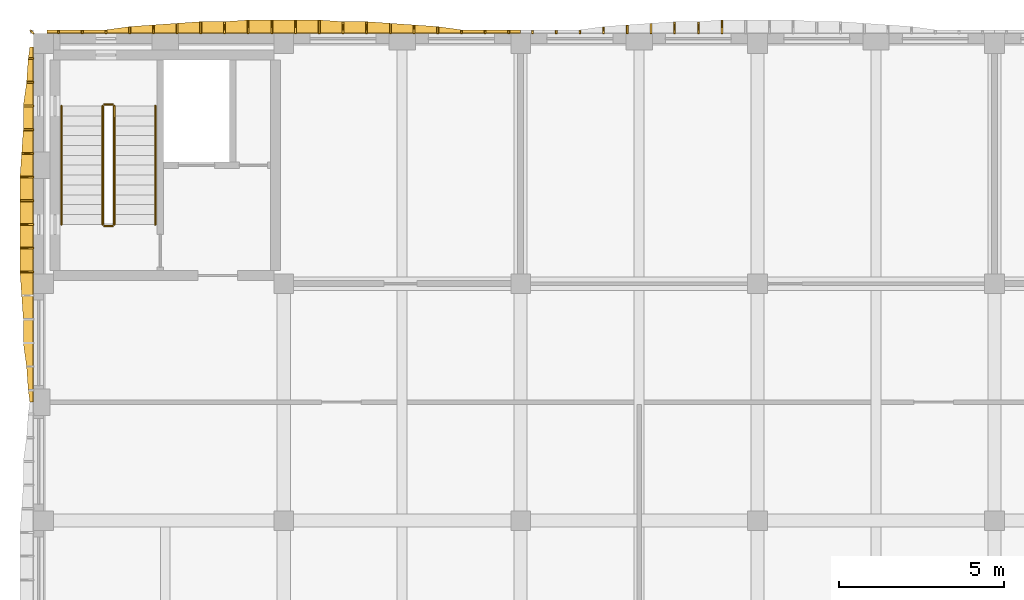
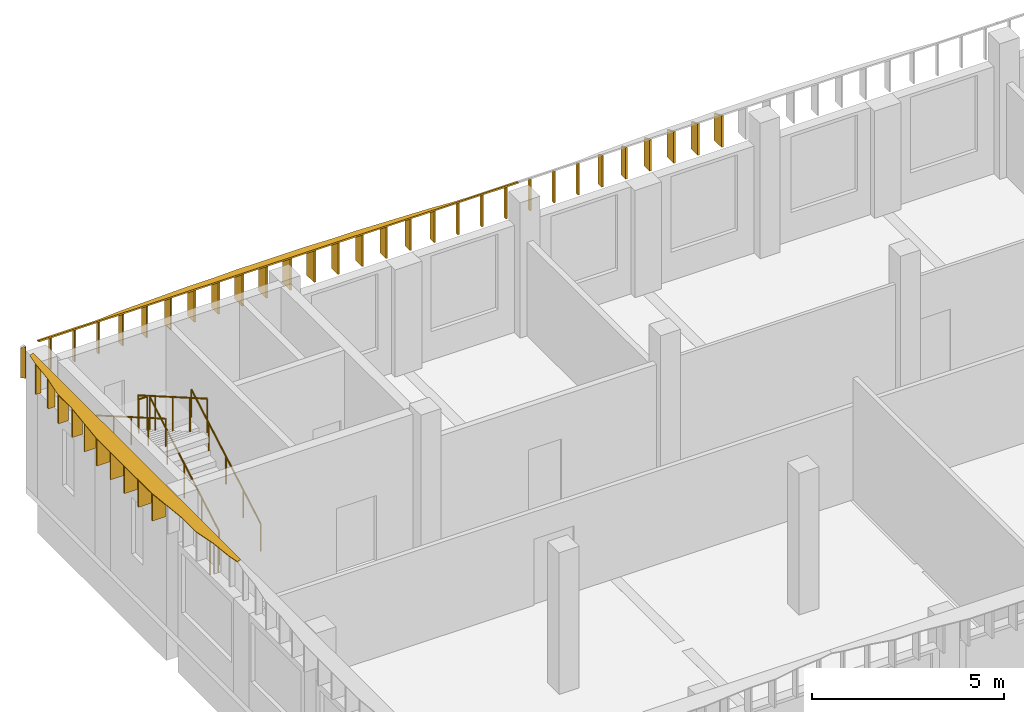
# One storey, part 26 of 38: 42 shading devices, 6 railings.
"""IFC4 building model written with IfcOpenShell, lengths in metres."""

from ifc_helpers import new_model, si_unit, direction, frame, origin, origin_2d, place, context, subcontext, project, spatial, polyline, circle, outline, extrude, material, layer, layer_set, type_object, element, save


model = new_model("IFC4")

# Units and contexts
model_context = context("Model", 3, precision=1e-05, world=origin(), true_north=direction((0.0, 1.0)))
body_context = subcontext(model_context, "Body", "Model", "MODEL_VIEW")
ifc_project = project(units=[si_unit("LENGTHUNIT", "METRE"), si_unit("AREAUNIT", "SQUARE_METRE"), si_unit("VOLUMEUNIT", "CUBIC_METRE"), si_unit("PLANEANGLEUNIT", "RADIAN"), si_unit("MASSUNIT", "GRAM", prefix="KILO")], contexts=[model_context])

# Site, building, storey
site_placement = place(None, origin())
site = spatial("IfcSite", under=ifc_project, at=site_placement, CompositionType="ELEMENT")
building_placement = place(site_placement, origin())
building = spatial("IfcBuilding", under=site, at=building_placement, Name="Ussher Court Research Institute", CompositionType="ELEMENT")
storey_placement = place(building_placement, frame((0.0, 0.0, 23.39990234375)))
storey = spatial("IfcBuildingStorey", under=building, at=storey_placement, Name="L05", CompositionType="ELEMENT", Elevation=23.39990234375)

# Shading devices
ifc_material_1 = material(Name="Bronze anodised aluminium", Category="aluminium")
ifc_layer_1 = layer(ifc_material_1, 0.050048828125)
ifc_layer_set_1 = layer_set([ifc_layer_1], Name="Bronze anodised aluminium")
shading_device_type_1 = type_object("IfcShadingDeviceType", Name="Brim blade 100 mm deep 1000 mm high canted 20 deg dry", PredefinedType="USERDEFINED", material=ifc_layer_set_1)
for number, where, z_axis, x_axis, name in (
    (1, (3.360107421875, 90.800048828125, 3.4501953125), (0.0, 0.0, 1.0), (0.0, 1.0, 0.0), "Brim blade BS17 L05"),
    (2, (4.080078125, 90.800048828125, 3.4501953125), (0.0, 0.0, 1.0), (0.0, 1.0, 0.0), "Brim blade BS17 L05"),
    (3, (4.800048828125, 90.800048828125, 3.4501953125), (0.0, 0.0, 1.0), (0.0, 1.0, 0.0), "Brim blade BS17 L05"),
    (4, (15.60009765625, 90.800048828125, 3.4501953125), (0.0, 0.0, 1.0), (0.0, 1.0, 0.0), "Brim blade BS17 L05"),
    (5, (16.320068359375, 90.800048828125, 3.4501953125), (0.0, 0.0, 1.0), (0.0, 1.0, 0.0), "Brim blade BS17 L05"),
    (6, (17.0400390625, 90.800048828125, 3.4501953125), (0.0, 0.0, 1.0), (0.0, 1.0, 0.0), "Brim blade BS17 L05"),
    (7, (17.760009765625, 90.800048828125, 3.4501953125), (0.0, 0.0, 1.0), (0.0, 1.0, 0.0), "Brim blade BS17 L05"),
    (8, (18.47998046875, 90.800048828125, 3.4501953125), (0.0, 0.0, 1.0), (0.0, 1.0, 0.0), "Brim blade BS17 L05"),
    (9, (19.199951171875, 90.800048828125, 3.4501953125), (0.0, 0.0, 1.0), (0.0, 1.0, 0.0), "Brim blade BS17 L05"),
):
    element("IfcShadingDevice", number, at=place(storey_placement, frame(where, z_axis=z_axis, x_axis=x_axis)), inside=storey, type_object=shading_device_type_1, Name=name, ObjectType="BLADE", PredefinedType="USERDEFINED", context=body_context, shape_type="SweptSolid", body=[
        extrude(outline(polyline([(0.0, 0.0), (0.099853515625, 0.0), (0.10009765625, 0.963623046875), (0.0, 1.0), (0.0, 0.0)])), frame((0.0, 0.02490234375, 0.0), z_axis=(0.0, -1.0, 0.0), x_axis=(1.0, 0.0, 0.0)), (0.0, 0.0, 1.0), 0.050048828125),
    ])
ifc_material_2 = material(Name="Bronze anodised aluminium", Category="aluminium")
ifc_layer_2 = layer(ifc_material_2, 0.050048828125)
ifc_layer_set_2 = layer_set([ifc_layer_2], Name="Bronze anodised aluminium")
shading_device_type_2 = type_object("IfcShadingDeviceType", Name="Brim blade 150 mm deep 1000 mm high canted 20 deg dry", PredefinedType="USERDEFINED", material=ifc_layer_set_2)
shading_device_1_placement = place(storey_placement, frame((2.60009765625, 90.0400390625, 3.4501953125), z_axis=(0.0, 0.0, 1.0), x_axis=(-1.0, 0.0, 0.0)))
element("IfcShadingDevice", 10, at=shading_device_1_placement, inside=storey, type_object=shading_device_type_2, Name="Brim blade BS16 L05", ObjectType="BLADE", PredefinedType="USERDEFINED", context=body_context, shape_type="SweptSolid", body=[
    extrude(outline(polyline([(0.0, 0.0), (0.150146484375, 0.0), (0.14990234375, 0.9453125), (0.0, 1.0), (0.0, 0.0)])), frame((0.0, 0.02490234375, 0.0), z_axis=(0.0, -1.0, 0.0), x_axis=(1.0, 0.0, 0.0)), (0.0, 0.0, 1.0), 0.050048828125),
])
ifc_material_3 = material(Name="Bronze anodised aluminium", Category="aluminium")
ifc_layer_3 = layer(ifc_material_3, 0.050048828125)
ifc_layer_set_3 = layer_set([ifc_layer_3], Name="Bronze anodised aluminium")
shading_device_type_3 = type_object("IfcShadingDeviceType", Name="Brim blade 200 mm deep 1000 mm high canted 20 deg dry", PredefinedType="USERDEFINED", material=ifc_layer_set_3)
for number, where, z_axis, x_axis, name in (
    (11, (5.52001953125, 90.800048828125, 3.4501953125), (0.0, 0.0, 1.0), (0.0, 1.0, 0.0), "Brim blade BS15 L05"),
    (12, (14.8798828125, 90.800048828125, 3.4501953125), (0.0, 0.0, 1.0), (0.0, 1.0, 0.0), "Brim blade BS15 L05"),
    (13, (19.919921875, 90.800048828125, 3.4501953125), (0.0, 0.0, 1.0), (0.0, 1.0, 0.0), "Brim blade BS15 L05"),
):
    element("IfcShadingDevice", number, at=place(storey_placement, frame(where, z_axis=z_axis, x_axis=x_axis)), inside=storey, type_object=shading_device_type_3, Name=name, ObjectType="BLADE", PredefinedType="USERDEFINED", context=body_context, shape_type="SweptSolid", body=[
        extrude(outline(polyline([(0.0, 0.0), (0.199951171875, 0.0), (0.199951171875, 0.927001953125), (0.0, 1.0), (0.0, 0.0)])), frame((0.0, 0.02490234375, 0.0), z_axis=(0.0, -1.0, 0.0), x_axis=(1.0, 0.0, 0.0)), (0.0, 0.0, 1.0), 0.050048828125),
    ])
shading_device_2_placement = place(storey_placement, frame((2.60009765625, 89.320068359375, 3.4501953125), z_axis=(0.0, 0.0, 1.0), x_axis=(-1.0, 0.0, 0.0)))
element("IfcShadingDevice", 14, at=shading_device_2_placement, inside=storey, type_object=shading_device_type_3, Name="Brim blade BS15 L05", ObjectType="BLADE", PredefinedType="USERDEFINED", context=body_context, shape_type="SweptSolid", body=[
    extrude(outline(polyline([(0.0, 0.0), (0.2001953125, 0.0), (0.199951171875, 0.927001953125), (0.0, 1.0), (0.0, 0.0)])), frame((0.0, 0.02490234375, 0.0), z_axis=(0.0, -1.0, 0.0), x_axis=(1.0, 0.0, 0.0)), (0.0, 0.0, 1.0), 0.050048828125),
])
ifc_material_4 = material(Name="Bronze anodised aluminium", Category="aluminium")
ifc_layer_4 = layer(ifc_material_4, 0.050048828125)
ifc_layer_set_4 = layer_set([ifc_layer_4], Name="Bronze anodised aluminium")
shading_device_type_4 = type_object("IfcShadingDeviceType", Name="Brim blade 250 mm deep 1000 mm high canted 20 deg dry", PredefinedType="USERDEFINED", material=ifc_layer_set_4)
for number, where, z_axis, x_axis, name in (
    (15, (6.239990234375, 90.800048828125, 3.4501953125), (0.0, 0.0, 1.0), (0.0, 1.0, 0.0), "Brim blade BS14 L05"),
    (16, (14.159912109375, 90.800048828125, 3.4501953125), (0.0, 0.0, 1.0), (0.0, 1.0, 0.0), "Brim blade BS14 L05"),
    (17, (20.639892578125, 90.800048828125, 3.4501953125), (0.0, 0.0, 1.0), (0.0, 1.0, 0.0), "Brim blade BS14 L05"),
):
    element("IfcShadingDevice", number, at=place(storey_placement, frame(where, z_axis=z_axis, x_axis=x_axis)), inside=storey, type_object=shading_device_type_4, Name=name, ObjectType="BLADE", PredefinedType="USERDEFINED", context=body_context, shape_type="SweptSolid", body=[
        extrude(outline(polyline([(0.0, 0.0), (0.25, 0.0), (0.25, 0.908935546875), (0.0, 1.0), (0.0, 0.0)])), frame((0.0, 0.02490234375, 0.0), z_axis=(0.0, -1.0, 0.0), x_axis=(1.0, 0.0, 0.0)), (0.0, 0.0, 1.0), 0.050048828125),
    ])
ifc_material_5 = material(Name="Bronze anodised aluminium", Category="aluminium")
ifc_layer_5 = layer(ifc_material_5, 0.050048828125)
ifc_layer_set_5 = layer_set([ifc_layer_5], Name="Bronze anodised aluminium")
shading_device_type_5 = type_object("IfcShadingDeviceType", Name="Brim blade 300 mm deep 1000 mm high canted 20 deg dry", PredefinedType="USERDEFINED", material=ifc_layer_set_5)
for number, where, z_axis, x_axis, name in (
    (18, (6.9599609375, 90.800048828125, 3.4501953125), (0.0, 0.0, 1.0), (0.0, 1.0, 0.0), "Brim blade BS13 L05"),
    (19, (13.43994140625, 90.800048828125, 3.4501953125), (0.0, 0.0, 1.0), (0.0, 1.0, 0.0), "Brim blade BS13 L05"),
    (20, (21.360107421875, 90.800048828125, 3.4501953125), (0.0, 0.0, 1.0), (0.0, 1.0, 0.0), "Brim blade BS13 L05"),
    (21, (2.60009765625, 87.8798828125, 3.4501953125), (0.0, 0.0, 1.0), (-1.0, 0.0, 0.0), "Brim blade BS13 L05"),
    (22, (2.60009765625, 88.60009765625, 3.4501953125), (0.0, 0.0, 1.0), (-1.0, 0.0, 0.0), "Brim blade BS13 L05"),
):
    element("IfcShadingDevice", number, at=place(storey_placement, frame(where, z_axis=z_axis, x_axis=x_axis)), inside=storey, type_object=shading_device_type_5, Name=name, ObjectType="BLADE", PredefinedType="USERDEFINED", context=body_context, shape_type="SweptSolid", body=[
        extrude(outline(polyline([(0.0, 0.0), (0.300048828125, 0.0), (0.300048828125, 0.890625), (0.0, 1.0), (0.0, 0.0)])), frame((0.0, 0.02490234375, 0.0), z_axis=(0.0, -1.0, 0.0), x_axis=(1.0, 0.0, 0.0)), (0.0, 0.0, 1.0), 0.050048828125),
    ])
ifc_material_6 = material(Name="Bronze anodised aluminium", Category="aluminium")
ifc_layer_6 = layer(ifc_material_6, 0.050048828125)
ifc_layer_set_6 = layer_set([ifc_layer_6], Name="Bronze anodised aluminium")
shading_device_type_6 = type_object("IfcShadingDeviceType", Name="Brim blade 350 mm deep 1000 mm high canted 20 deg dry", PredefinedType="USERDEFINED", material=ifc_layer_set_6)
for number, where, z_axis, x_axis, name in (
    (23, (7.679931640625, 90.800048828125, 3.4501953125), (0.0, 0.0, 1.0), (0.0, 1.0, 0.0), "Brim blade BS12 L05"),
    (24, (8.39990234375, 90.800048828125, 3.4501953125), (0.0, 0.0, 1.0), (0.0, 1.0, 0.0), "Brim blade BS12 L05"),
    (25, (12.0, 90.800048828125, 3.4501953125), (0.0, 0.0, 1.0), (0.0, 1.0, 0.0), "Brim blade BS12 L05"),
    (26, (12.719970703125, 90.800048828125, 3.4501953125), (0.0, 0.0, 1.0), (0.0, 1.0, 0.0), "Brim blade BS12 L05"),
    (27, (22.080078125, 90.800048828125, 3.4501953125), (0.0, 0.0, 1.0), (0.0, 1.0, 0.0), "Brim blade BS12 L05"),
    (28, (22.800048828125, 90.800048828125, 3.4501953125), (0.0, 0.0, 1.0), (0.0, 1.0, 0.0), "Brim blade BS12 L05"),
):
    element("IfcShadingDevice", number, at=place(storey_placement, frame(where, z_axis=z_axis, x_axis=x_axis)), inside=storey, type_object=shading_device_type_6, Name=name, ObjectType="BLADE", PredefinedType="USERDEFINED", context=body_context, shape_type="SweptSolid", body=[
        extrude(outline(polyline([(0.0, 0.0), (0.349853515625, 0.0), (0.35009765625, 0.87255859375), (0.0, 1.0), (0.0, 0.0)])), frame((0.0, 0.02490234375, 0.0), z_axis=(0.0, -1.0, 0.0), x_axis=(1.0, 0.0, 0.0)), (0.0, 0.0, 1.0), 0.050048828125),
    ])
shading_device_3_placement = place(storey_placement, frame((2.60009765625, 87.159912109375, 3.4501953125), z_axis=(0.0, 0.0, 1.0), x_axis=(-1.0, 0.0, 0.0)))
element("IfcShadingDevice", 29, at=shading_device_3_placement, inside=storey, type_object=shading_device_type_6, Name="Brim blade BS12 L05", ObjectType="BLADE", PredefinedType="USERDEFINED", context=body_context, shape_type="SweptSolid", body=[
    extrude(outline(polyline([(0.0, 0.0), (0.35009765625, 0.0), (0.35009765625, 0.87255859375), (0.0, 1.0), (0.0, 0.0)])), frame((0.0, 0.02490234375, 0.0), z_axis=(0.0, -1.0, 0.0), x_axis=(1.0, 0.0, 0.0)), (0.0, 0.0, 1.0), 0.050048828125),
])
ifc_material_7 = material(Name="Bronze anodised aluminium", Category="aluminium")
ifc_layer_7 = layer(ifc_material_7, 0.050048828125)
ifc_layer_set_7 = layer_set([ifc_layer_7], Name="Bronze anodised aluminium")
shading_device_type_7 = type_object("IfcShadingDeviceType", Name="Brim blade 400 mm deep 1000 mm high canted 20 deg dry", PredefinedType="USERDEFINED", material=ifc_layer_set_7)
for number, where, z_axis, x_axis, name in (
    (30, (9.1201171875, 90.800048828125, 3.4501953125), (0.0, 0.0, 1.0), (0.0, 1.0, 0.0), "Brim blade BS11 L05"),
    (31, (9.840087890625, 90.800048828125, 3.4501953125), (0.0, 0.0, 1.0), (0.0, 1.0, 0.0), "Brim blade BS11 L05"),
    (32, (10.56005859375, 90.800048828125, 3.4501953125), (0.0, 0.0, 1.0), (0.0, 1.0, 0.0), "Brim blade BS11 L05"),
    (33, (11.280029296875, 90.800048828125, 3.4501953125), (0.0, 0.0, 1.0), (0.0, 1.0, 0.0), "Brim blade BS11 L05"),
    (34, (23.52001953125, 90.800048828125, 3.4501953125), (0.0, 0.0, 1.0), (0.0, 1.0, 0.0), "Brim blade BS11 L05"),
):
    element("IfcShadingDevice", number, at=place(storey_placement, frame(where, z_axis=z_axis, x_axis=x_axis)), inside=storey, type_object=shading_device_type_7, Name=name, ObjectType="BLADE", PredefinedType="USERDEFINED", context=body_context, shape_type="SweptSolid", body=[
        extrude(outline(polyline([(0.0, 0.0), (0.39990234375, 0.0), (0.39990234375, 0.854248046875), (0.0, 1.0), (0.0, 0.0)])), frame((0.0, 0.02490234375, 0.0), z_axis=(0.0, -1.0, 0.0), x_axis=(1.0, 0.0, 0.0)), (0.0, 0.0, 1.0), 0.050048828125),
    ])
for number, where, z_axis, x_axis, name in (
    (35, (2.60009765625, 83.56005859375, 3.4501953125), (0.0, 0.0, 1.0), (-1.0, 0.0, 0.0), "Brim blade BS11 L05"),
    (36, (2.60009765625, 84.280029296875, 3.4501953125), (0.0, 0.0, 1.0), (-1.0, 0.0, 0.0), "Brim blade BS11 L05"),
    (37, (2.60009765625, 85.0, 3.4501953125), (0.0, 0.0, 1.0), (-1.0, 0.0, 0.0), "Brim blade BS11 L05"),
    (38, (2.60009765625, 85.719970703125, 3.4501953125), (0.0, 0.0, 1.0), (-1.0, 0.0, 0.0), "Brim blade BS11 L05"),
    (39, (2.60009765625, 86.43994140625, 3.4501953125), (0.0, 0.0, 1.0), (-1.0, 0.0, 0.0), "Brim blade BS11 L05"),
):
    element("IfcShadingDevice", number, at=place(storey_placement, frame(where, z_axis=z_axis, x_axis=x_axis)), inside=storey, type_object=shading_device_type_7, Name=name, ObjectType="BLADE", PredefinedType="USERDEFINED", context=body_context, shape_type="SweptSolid", body=[
        extrude(outline(polyline([(0.0, 0.0), (0.400146484375, 0.0), (0.39990234375, 0.854248046875), (0.0, 1.0), (0.0, 0.0)])), frame((0.0, 0.02490234375, 0.0), z_axis=(0.0, -1.0, 0.0), x_axis=(1.0, 0.0, 0.0)), (0.0, 0.0, 1.0), 0.050048828125),
    ])
ifc_material_8 = material(Name="Bronze anodised aluminium", Category="aluminium")
ifc_layer_8 = layer(ifc_material_8, 0.050048828125)
ifc_layer_set_8 = layer_set([ifc_layer_8], Name="Bronze anodised aluminium")
shading_device_type_8 = type_object("IfcShadingDeviceType", Name="Brim mitre blade 100 mm deep 1000 mm high canted 20 deg dry", PredefinedType="USERDEFINED", material=ifc_layer_set_8)
shading_device_4_placement = place(storey_placement, frame((2.60009765625, 90.800048828125, 3.4501953125), z_axis=(0.0, 0.0, 1.0), x_axis=(-0.707969631694, 0.706242876495, 0.0)))
element("IfcShadingDevice", 40, at=shading_device_4_placement, inside=storey, type_object=shading_device_type_8, Name="Brim mitre blade BS19 L05", ObjectType="BLADE", PredefinedType="USERDEFINED", context=body_context, shape_type="SweptSolid", body=[
    extrude(outline(polyline([(0.0, 0.0), (0.141357421875, 0.0), (0.141357421875, 0.927001953125), (0.0, 1.0), (0.0, 0.0)])), frame((0.0, 0.02490234375, 0.0), z_axis=(0.0, -1.0, 0.0), x_axis=(1.0, 0.0, 0.0)), (0.0, 0.0, 1.0), 0.050048828125),
])
ifc_material_9 = material(Name="Bronze anodised aluminium", Category="aluminium")
ifc_layer_9 = layer(ifc_material_9, 0.0400390625)
ifc_layer_set_9 = layer_set([ifc_layer_9], Name="Bronze anodised aluminium")
shading_device_type_9 = type_object("IfcShadingDeviceType", Name="Brim visor sheet 40 mm canted 20 deg dry", PredefinedType="USERDEFINED", material=ifc_layer_set_9)
shading_device_5_placement = place(storey_placement, frame((3.0, 90.813720703125, 4.48779296875), z_axis=(0.0, 0.342255789242, 0.939606819223), x_axis=(1.0, 0.0, 0.0)))
element("IfcShadingDevice", 41, at=shading_device_5_placement, inside=storey, type_object=shading_device_type_9, Name="Brim visor sheet BR2 L05", ObjectType="BRIM", PredefinedType="USERDEFINED", context=body_context, shape_type="SweptSolid", body=[
    extrude(outline(polyline([(0.0, 0.0), (14.39990234375, 0.0), (14.39990234375, 0.10650266320275441), (14.0400390625, 0.10650266320275441), (13.320068359375, 0.10650266320275441), (12.60009765625, 0.10650266320275441), (11.8798828125, 0.21285948875170477), (11.159912109375, 0.2660690410819343), (10.43994140625, 0.3193621519544592), (9.719970703125, 0.3725717042846887), (9.0, 0.3725717042846887), (8.280029296875, 0.42563541896111423), (7.56005859375, 0.42563541896111423), (6.840087890625, 0.42563541896111423), (6.1201171875, 0.42563541896111423), (5.39990234375, 0.3725717042846887), (4.679931640625, 0.3725717042846887), (3.9599609375, 0.3193621519544592), (3.239990234375, 0.2660690410819343), (2.52001953125, 0.21285948875170477), (1.800048828125, 0.10650266320275441), (1.080078125, 0.10650266320275441), (0.360107421875, 0.10650266320275441), (0.0, 0.10650266320275441), (0.0, 0.0)])), origin(), (0.0, 0.0, -1.0), 0.0400390625),
])
shading_device_6_placement = place(storey_placement, frame((2.586181640625, 79.60009765625, 4.48779296875), z_axis=(-0.342542336127, 0.0, 0.939502393802), x_axis=(0.0, 1.0, 0.0)))
element("IfcShadingDevice", 42, at=shading_device_6_placement, inside=storey, type_object=shading_device_type_9, Name="Brim visor sheet BR2 L05", ObjectType="BRIM", PredefinedType="USERDEFINED", context=body_context, shape_type="SweptSolid", body=[
    extrude(outline(polyline([(0.0, 0.0), (10.7998046875, 0.0), (10.7998046875, 0.10627326346390428), (10.43994140625, 0.1595663947966779), (9.719970703125, 0.21285952612945153), (9.0, 0.3191327895933558), (8.27978515625, 0.3191327895933558), (7.559814453125, 0.3723422924260984), (6.83984375, 0.425635423758872), (6.119873046875, 0.425635423758872), (5.39990234375, 0.425635423758872), (4.679931640625, 0.425635423758872), (3.9599609375, 0.425635423758872), (3.239990234375, 0.3723422924260984), (2.52001953125, 0.3191327895933558), (1.7998046875, 0.3191327895933558), (1.079833984375, 0.21285952612945153), (0.35986328125, 0.1595663947966779), (0.0, 0.10627326346390428), (0.0, 0.0)])), origin(), (0.0, 0.0, -1.0), 0.0400390625),
])

# Railings
ifc_material_10 = material(Name="Painted steel balustrade", Category="steel")
railing_type_1 = type_object("IfcRailingType", Name="Stair guard 1100 steel balustrade", PredefinedType="GUARDRAIL", material=ifc_material_10)
railing_1_placement = place(storey_placement, frame((5.050048828125, 85.0, 0.173095703125)))
element("IfcRailing", 43, at=railing_1_placement, inside=storey, type_object=railing_type_1, Name="L05 D1 stair guard 1", PredefinedType="GUARDRAIL", context=body_context, shape_type="SweptSolid", body=[
    extrude(circle(Radius=0.02392578125, at=origin_2d()), frame((0.0, 0.0, 1.076171875), z_axis=(0.0, 0.866193409371, 0.499708892819), x_axis=(-1.0, 0.0, 0.0)), (0.0, 0.0, 1.0), 4.15625),
    extrude(circle(Radius=0.02099609375, at=origin_2d()), origin(), (0.0, 0.0, 1.0), 1.052001953125),
    extrude(circle(Radius=0.02099609375, at=origin_2d()), frame((0.0, 0.89990234375, 0.519287109375)), (0.0, 0.0, 1.0), 1.052001953125),
    extrude(circle(Radius=0.02099609375, at=origin_2d()), frame((0.0, 1.800048828125, 1.03857421875)), (0.0, 0.0, 1.0), 1.052001953125),
    extrude(circle(Radius=0.02099609375, at=origin_2d()), frame((0.0, 2.7001953125, 1.5576171875)), (0.0, 0.0, 1.0), 1.052001953125),
    extrude(circle(Radius=0.02099609375, at=origin_2d()), frame((0.0, 3.60009765625, 2.076904296875)), (0.0, 0.0, 1.0), 1.052001953125),
])
railing_2_placement = place(storey_placement, frame((5.0, 88.64990234375, 2.25)))
element("IfcRailing", 44, at=railing_2_placement, inside=storey, type_object=railing_type_1, Name="L05 D1 stair guard 2", PredefinedType="GUARDRAIL", context=body_context, shape_type="SweptSolid", body=[
    extrude(circle(Radius=0.02392578125, at=origin_2d()), frame((0.0, 0.0, 1.076171875), z_axis=(-1.0, 0.0, 0.0), x_axis=(0.0, -1.0, 0.0)), (0.0, 0.0, 1.0), 0.25),
    extrude(circle(Radius=0.02099609375, at=origin_2d()), origin(), (0.0, 0.0, 1.0), 1.052001953125),
    extrude(circle(Radius=0.02099609375, at=origin_2d()), frame((-0.25, 0.0, 0.0)), (0.0, 0.0, 1.0), 1.052001953125),
])
railing_3_placement = place(storey_placement, frame((4.699951171875, 88.60009765625, 2.423095703125)))
element("IfcRailing", 45, at=railing_3_placement, inside=storey, type_object=railing_type_1, Name="L05 D1 stair guard 3", PredefinedType="GUARDRAIL", context=body_context, shape_type="SweptSolid", body=[
    extrude(circle(Radius=0.02392578125, at=origin_2d()), frame((0.0, 0.0, 1.076171875), z_axis=(0.0, -0.866193409371, 0.499708892819), x_axis=(1.0, 0.0, 0.0)), (0.0, 0.0, 1.0), 4.15625),
    extrude(circle(Radius=0.02099609375, at=origin_2d()), origin(), (0.0, 0.0, 1.0), 1.052001953125),
    extrude(circle(Radius=0.02099609375, at=origin_2d()), frame((0.0, -0.89990234375, 0.519287109375)), (0.0, 0.0, 1.0), 1.052001953125),
    extrude(circle(Radius=0.02099609375, at=origin_2d()), frame((0.0, -1.800048828125, 1.03857421875)), (0.0, 0.0, 1.0), 1.052001953125),
    extrude(circle(Radius=0.02099609375, at=origin_2d()), frame((0.0, -2.7001953125, 1.5576171875)), (0.0, 0.0, 1.0), 1.052001953125),
    extrude(circle(Radius=0.02099609375, at=origin_2d()), frame((0.0, -3.60009765625, 2.076904296875)), (0.0, 0.0, 1.0), 1.052001953125),
])
railing_4_placement = place(storey_placement, frame((5.0, 84.949951171875, 0.0)))
element("IfcRailing", 46, at=railing_4_placement, inside=storey, type_object=railing_type_1, Name="L05 D1 stair guard 4", PredefinedType="GUARDRAIL", context=body_context, shape_type="SweptSolid", body=[
    extrude(circle(Radius=0.02392578125, at=origin_2d()), frame((0.0, 0.0, 1.076171875), z_axis=(-1.0, 0.0, 0.0), x_axis=(0.0, -1.0, 0.0)), (0.0, 0.0, 1.0), 0.25),
    extrude(circle(Radius=0.02099609375, at=origin_2d()), origin(), (0.0, 0.0, 1.0), 1.052001953125),
    extrude(circle(Radius=0.02099609375, at=origin_2d()), frame((-0.25, 0.0, 0.0)), (0.0, 0.0, 1.0), 1.052001953125),
])
ifc_material_11 = material(Name="Painted steel handrail", Category="steel")
railing_type_2 = type_object("IfcRailingType", Name="Stair handrail 900 steel", PredefinedType="HANDRAIL", material=ifc_material_11)
railing_5_placement = place(storey_placement, frame((6.300048828125, 85.0, 0.173095703125)))
element("IfcRailing", 47, at=railing_5_placement, inside=storey, type_object=railing_type_2, Name="L05 D1 stair handrail 1", PredefinedType="HANDRAIL", context=body_context, shape_type="SweptSolid", body=[
    extrude(circle(Radius=0.02392578125, at=origin_2d()), frame((0.0, 0.0, 0.8759765625), z_axis=(0.0, 0.866193409371, 0.499708892819), x_axis=(-1.0, 0.0, 0.0)), (0.0, 0.0, 1.0), 4.15625),
    extrude(circle(Radius=0.02099609375, at=origin_2d()), origin(), (0.0, 0.0, 1.0), 0.851806640625),
    extrude(circle(Radius=0.02099609375, at=origin_2d()), frame((0.0, 0.89990234375, 0.519287109375)), (0.0, 0.0, 1.0), 0.851806640625),
    extrude(circle(Radius=0.02099609375, at=origin_2d()), frame((0.0, 1.800048828125, 1.03857421875)), (0.0, 0.0, 1.0), 0.851806640625),
    extrude(circle(Radius=0.02099609375, at=origin_2d()), frame((0.0, 2.7001953125, 1.5576171875)), (0.0, 0.0, 1.0), 0.851806640625),
    extrude(circle(Radius=0.02099609375, at=origin_2d()), frame((0.0, 3.60009765625, 2.076904296875)), (0.0, 0.0, 1.0), 0.851806640625),
])
railing_6_placement = place(storey_placement, frame((3.449951171875, 88.60009765625, 2.423095703125)))
element("IfcRailing", 48, at=railing_6_placement, inside=storey, type_object=railing_type_2, Name="L05 D1 stair handrail 2", PredefinedType="HANDRAIL", context=body_context, shape_type="SweptSolid", body=[
    extrude(circle(Radius=0.02392578125, at=origin_2d()), frame((0.0, 0.0, 0.8759765625), z_axis=(0.0, -0.866193409371, 0.499708892819), x_axis=(1.0, 0.0, 0.0)), (0.0, 0.0, 1.0), 4.15625),
    extrude(circle(Radius=0.02099609375, at=origin_2d()), origin(), (0.0, 0.0, 1.0), 0.851806640625),
    extrude(circle(Radius=0.02099609375, at=origin_2d()), frame((0.0, -0.89990234375, 0.519287109375)), (0.0, 0.0, 1.0), 0.851806640625),
    extrude(circle(Radius=0.02099609375, at=origin_2d()), frame((0.0, -1.800048828125, 1.03857421875)), (0.0, 0.0, 1.0), 0.851806640625),
    extrude(circle(Radius=0.02099609375, at=origin_2d()), frame((0.0, -2.7001953125, 1.5576171875)), (0.0, 0.0, 1.0), 0.851806640625),
    extrude(circle(Radius=0.02099609375, at=origin_2d()), frame((0.0, -3.60009765625, 2.076904296875)), (0.0, 0.0, 1.0), 0.851806640625),
])

save(model, "model.ifc")
